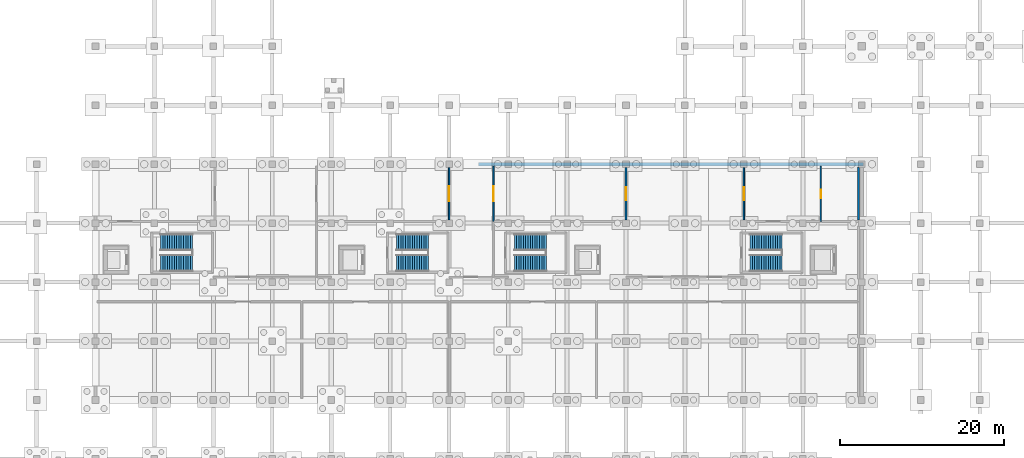
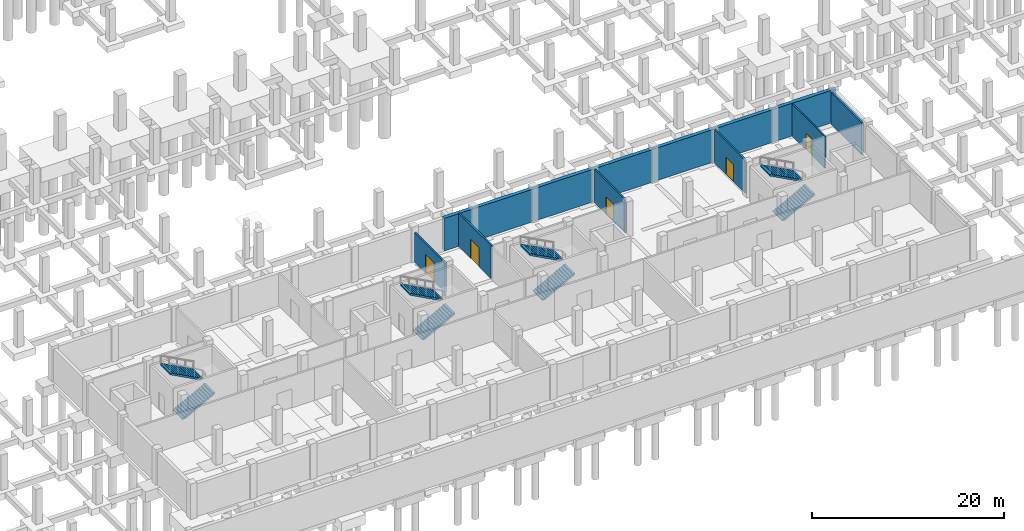
# One storey, part 20 of 22: 8 stair flights, 7 walls, 5 doors, 5 openings, 4 elements without a shape of their own.
"""IFC4 building model written with IfcOpenShell, lengths in metres."""

from ifc_helpers import new_model, si_unit, direction, frame, frame_2d, origin, place, context, subcontext, project, spatial, polyline, rectangle, outline, extrude, material, layer, layer_set, type_object, element, fill, aggregate, save


model = new_model("IFC4")

# Units and contexts
model_context = context("Model", 3, precision=1e-05, world=origin(), true_north=direction((0.0, 1.0)))
body_context = subcontext(model_context, "Body", "Model", "MODEL_VIEW")
ifc_project = project(units=[si_unit("LENGTHUNIT", "METRE"), si_unit("AREAUNIT", "SQUARE_METRE"), si_unit("VOLUMEUNIT", "CUBIC_METRE"), si_unit("PLANEANGLEUNIT", "RADIAN"), si_unit("MASSUNIT", "GRAM", prefix="KILO")], contexts=[model_context])

# Site, building, storey
site_placement = place(None, origin())
site = spatial("IfcSite", under=ifc_project, at=site_placement, CompositionType="ELEMENT")
building_placement = place(site_placement, origin())
building = spatial("IfcBuilding", under=site, at=building_placement, Name="Sardonyx Promenade Sports Hall", CompositionType="ELEMENT")
storey_placement = place(building_placement, frame((0.0, 0.0, -4.5)))
storey = spatial("IfcBuildingStorey", under=building, at=storey_placement, Name="B1", CompositionType="ELEMENT", Elevation=-4.5)

# Wall, opening, door
ifc_material_1 = material(Name="Masonry CMU 15 MPa", Category="masonry")
ifc_layer_1 = layer(ifc_material_1, 0.18994140625)
ifc_layer_set_1 = layer_set([ifc_layer_1], Name="Wall_Part_Block_190")
wall_type_1 = type_object("IfcWallType", Name="Wall_Part_Block_190", PredefinedType="PARTITIONING", material=ifc_layer_set_1)
wall_1_placement = place(storey_placement, frame((64.800048828125, 29.199951171875, 0.0), z_axis=(0.0, 0.0, 1.0), x_axis=(0.0, 1.0, 0.0)))
wall_1 = element("IfcWall", 1, at=wall_1_placement, inside=storey, type_object=wall_type_1, Name="Interior partition PW03 B1 #13", PredefinedType="PARTITIONING", context=body_context, shape_type="SweptSolid", body=[
    extrude(rectangle(XDim=6.400146484375, YDim=0.18994140625, at=frame_2d((3.2001953125, 0.0))), origin(), (0.0, 0.0, 1.0), 3.780029296875),
])
opening_1_placement = place(wall_1_placement, frame((2.300048828125, 0.0, 0.0)))
opening_1 = element("IfcOpeningElement", 2, at=opening_1_placement, cuts=wall_1, Name="Opening ID02", PredefinedType="OPENING", context=body_context, shape_type="SweptSolid", body=[
    extrude(rectangle(XDim=1.800048828125, YDim=2.39990234375, at=frame_2d((0.89990234375, 1.199951171875))), frame((0.0, 0.105, 0.0), z_axis=(0.0, -1.0, 0.0), x_axis=(1.0, 0.0, 0.0)), (0.0, 0.0, 1.0), 0.21),
])
ifc_material_2 = material(Name="Steel acoustic plant fire door FD60S", Category="steel")
door_type_1 = type_object("IfcDoorType", Name="Door_Plant_FD60_180x240", OperationType="NOTDEFINED", PredefinedType="DOOR", material=ifc_material_2)
door_1_placement = place(opening_1_placement, origin())
door_1 = element("IfcDoor", 3, at=door_1_placement, inside=storey, type_object=door_type_1, Name="Interior door DB1-003", OperationType="DOUBLE_DOOR_SINGLE_SWING", OverallHeight=2.39990234375, OverallWidth=1.800048828125, PredefinedType="DOOR", context=body_context, shape_type="SweptSolid", body=[
    extrude(rectangle(XDim=1.800048828125, YDim=2.39990234375, at=frame_2d((0.89990234375, 1.199951171875))), frame((0.0, 0.02490234375, 0.0), z_axis=(0.0, -1.0, 0.0), x_axis=(1.0, 0.0, 0.0)), (0.0, 0.0, 1.0), 0.050048828125),
])
fill(opening_1, door_1)

wall_2_placement = place(storey_placement, frame((70.199951171875, 29.010009765625, 0.0), z_axis=(0.0, 0.0, 1.0), x_axis=(0.0, 1.0, 0.0)))
wall_2 = element("IfcWall", 4, at=wall_2_placement, inside=storey, type_object=wall_type_1, Name="Interior partition PW03 B1 #15", PredefinedType="PARTITIONING", context=body_context, shape_type="SweptSolid", body=[
    extrude(rectangle(XDim=6.7548828125, YDim=0.18994140625, at=frame_2d((3.37744140625, 0.0))), origin(), (0.0, 0.0, 1.0), 4.219970703125),
])
opening_2_placement = place(wall_2_placement, frame((2.4775390625, 0.0, 0.0)))
opening_2 = element("IfcOpeningElement", 5, at=opening_2_placement, cuts=wall_2, Name="Opening ID02", PredefinedType="OPENING", context=body_context, shape_type="SweptSolid", body=[
    extrude(rectangle(XDim=1.800048828125, YDim=2.39990234375, at=frame_2d((0.89990234375, 1.199951171875))), frame((0.0, 0.105, 0.0), z_axis=(0.0, -1.0, 0.0), x_axis=(1.0, 0.0, 0.0)), (0.0, 0.0, 1.0), 0.21),
])
door_2_placement = place(opening_2_placement, origin())
door_2 = element("IfcDoor", 6, at=door_2_placement, inside=storey, type_object=door_type_1, Name="Interior door DB1-004", OperationType="DOUBLE_DOOR_SINGLE_SWING", OverallHeight=2.39990234375, OverallWidth=1.800048828125, PredefinedType="DOOR", context=body_context, shape_type="SweptSolid", body=[
    extrude(rectangle(XDim=1.800048828125, YDim=2.39990234375, at=frame_2d((0.89990234375, 1.199951171875))), frame((0.0, 0.02490234375, 0.0), z_axis=(0.0, -1.0, 0.0), x_axis=(1.0, 0.0, 0.0)), (0.0, 0.0, 1.0), 0.050048828125),
])
fill(opening_2, door_2)

wall_3_placement = place(storey_placement, frame((86.39990234375, 29.199951171875, 0.0), z_axis=(0.0, 0.0, 1.0), x_axis=(0.0, 1.0, 0.0)))
wall_3 = element("IfcWall", 7, at=wall_3_placement, inside=storey, type_object=wall_type_1, Name="Interior partition PW03 B1 #16", PredefinedType="PARTITIONING", context=body_context, shape_type="SweptSolid", body=[
    extrude(rectangle(XDim=6.400146484375, YDim=0.18994140625, at=frame_2d((3.2001953125, 0.0))), origin(), (0.0, 0.0, 1.0), 4.219970703125),
])
opening_3_placement = place(wall_3_placement, frame((2.39990234375, 0.0, 0.0)))
opening_3 = element("IfcOpeningElement", 8, at=opening_3_placement, cuts=wall_3, Name="Opening ID09", PredefinedType="OPENING", context=body_context, shape_type="SweptSolid", body=[
    extrude(rectangle(XDim=1.60009765625, YDim=2.199951171875, at=frame_2d((0.800048828125, 1.10009765625))), frame((0.0, 0.105, 0.0), z_axis=(0.0, -1.0, 0.0), x_axis=(1.0, 0.0, 0.0)), (0.0, 0.0, 1.0), 0.21),
])
ifc_material_3 = material(Name="Double hardwood vision-panel fire door FD60S", Category="wood")
door_type_2 = type_object("IfcDoorType", Name="Door_Lobby_FD60_160x220", OperationType="NOTDEFINED", PredefinedType="DOOR", material=ifc_material_3)
door_3_placement = place(opening_3_placement, origin())
door_3 = element("IfcDoor", 9, at=door_3_placement, inside=storey, type_object=door_type_2, Name="Interior door DB1-005", OperationType="DOUBLE_DOOR_SINGLE_SWING", OverallHeight=2.199951171875, OverallWidth=1.60009765625, PredefinedType="DOOR", context=body_context, shape_type="SweptSolid", body=[
    extrude(rectangle(XDim=1.60009765625, YDim=2.199951171875, at=frame_2d((0.800048828125, 1.10009765625))), frame((0.0, 0.02490234375, 0.0), z_axis=(0.0, -1.0, 0.0), x_axis=(1.0, 0.0, 0.0)), (0.0, 0.0, 1.0), 0.050048828125),
])
fill(opening_3, door_3)

wall_4_placement = place(storey_placement, frame((100.800048828125, 29.199951171875, 0.0), z_axis=(0.0, 0.0, 1.0), x_axis=(0.0, 1.0, 0.0)))
wall_4 = element("IfcWall", 10, at=wall_4_placement, inside=storey, type_object=wall_type_1, Name="Interior partition PW03 B1 #17", PredefinedType="PARTITIONING", context=body_context, shape_type="SweptSolid", body=[
    extrude(rectangle(XDim=6.400146484375, YDim=0.18994140625, at=frame_2d((3.2001953125, 0.0))), origin(), (0.0, 0.0, 1.0), 4.219970703125),
])
opening_4_placement = place(wall_4_placement, frame((2.39990234375, 0.0, 0.0)))
opening_4 = element("IfcOpeningElement", 11, at=opening_4_placement, cuts=wall_4, Name="Opening ID09", PredefinedType="OPENING", context=body_context, shape_type="SweptSolid", body=[
    extrude(rectangle(XDim=1.60009765625, YDim=2.199951171875, at=frame_2d((0.800048828125, 1.10009765625))), frame((0.0, 0.105, 0.0), z_axis=(0.0, -1.0, 0.0), x_axis=(1.0, 0.0, 0.0)), (0.0, 0.0, 1.0), 0.21),
])
door_4_placement = place(opening_4_placement, origin())
door_4 = element("IfcDoor", 12, at=door_4_placement, inside=storey, type_object=door_type_2, Name="Interior door DB1-006", OperationType="DOUBLE_DOOR_SINGLE_SWING", OverallHeight=2.199951171875, OverallWidth=1.60009765625, PredefinedType="DOOR", context=body_context, shape_type="SweptSolid", body=[
    extrude(rectangle(XDim=1.60009765625, YDim=2.199951171875, at=frame_2d((0.800048828125, 1.10009765625))), frame((0.0, 0.02490234375, 0.0), z_axis=(0.0, -1.0, 0.0), x_axis=(1.0, 0.0, 0.0)), (0.0, 0.0, 1.0), 0.050048828125),
])
fill(opening_4, door_4)

# Wall
ifc_material_4 = material(Name="Masonry CMU 15 MPa", Category="masonry")
ifc_layer_2 = layer(ifc_material_4, 0.2099609375)
ifc_layer_set_2 = layer_set([ifc_layer_2], Name="Wall_Part_Block_210")
wall_type_2 = type_object("IfcWallType", Name="Wall_Part_Block_210", PredefinedType="PARTITIONING", material=ifc_layer_set_2)
wall_5_placement = place(storey_placement, frame((114.800048828125, 29.199951171875, 0.0), z_axis=(0.0, 0.0, 1.0), x_axis=(0.0, 1.0, 0.0)))
element("IfcWall", 13, at=wall_5_placement, inside=storey, type_object=wall_type_2, Name="Interior partition PW07 B1 #9", PredefinedType="PARTITIONING", context=body_context, shape_type="SweptSolid", body=[
    extrude(rectangle(XDim=6.400146484375, YDim=0.2099609375, at=frame_2d((3.2001953125, 0.0))), origin(), (0.0, 0.0, 1.0), 4.06005859375),
])

# Wall, opening, door
ifc_material_5 = material(Name="Fire-rated stud gypsum partition", Category="gypsum")
ifc_layer_3 = layer(ifc_material_5, 0.14990234375)
ifc_layer_set_3 = layer_set([ifc_layer_3], Name="Wall_Part_Corridor_150")
wall_type_3 = type_object("IfcWallType", Name="Wall_Part_Corridor_150", PredefinedType="PARTITIONING", material=ifc_layer_set_3)
wall_6_placement = place(storey_placement, frame((110.199951171875, 29.0, 0.0), z_axis=(0.0, 0.0, 1.0), x_axis=(0.0, 1.0, 0.0)))
wall_6 = element("IfcWall", 14, at=wall_6_placement, inside=storey, type_object=wall_type_3, Name="Interior partition PW04 B1 #18", PredefinedType="PARTITIONING", context=body_context, shape_type="SweptSolid", body=[
    extrude(rectangle(XDim=6.764892578125, YDim=0.14990234375, at=frame_2d((3.38232421875, 0.0))), origin(), (0.0, 0.0, 1.0), 4.06005859375),
])
opening_5_placement = place(wall_6_placement, frame((2.857421875, 0.0, 0.0)))
opening_5 = element("IfcOpeningElement", 15, at=opening_5_placement, cuts=wall_6, Name="Opening ID07", PredefinedType="OPENING", context=body_context, shape_type="SweptSolid", body=[
    extrude(rectangle(XDim=1.050048828125, YDim=2.14990234375, at=frame_2d((0.52490234375, 1.074951171875))), frame((0.0, 0.085, 0.0), z_axis=(0.0, -1.0, 0.0), x_axis=(1.0, 0.0, 0.0)), (0.0, 0.0, 1.0), 0.17),
])
ifc_material_6 = material(Name="Hardwood accessible fire door FD30S", Category="wood")
door_type_3 = type_object("IfcDoorType", Name="Door_Corr_FD30_105x215", OperationType="NOTDEFINED", PredefinedType="DOOR", material=ifc_material_6)
door_5_placement = place(opening_5_placement, origin())
door_5 = element("IfcDoor", 16, at=door_5_placement, inside=storey, type_object=door_type_3, Name="Interior door DB1-007", OperationType="SINGLE_SWING_LEFT", OverallHeight=2.14990234375, OverallWidth=1.050048828125, PredefinedType="DOOR", context=body_context, shape_type="SweptSolid", body=[
    extrude(rectangle(XDim=1.050048828125, YDim=2.14990234375, at=frame_2d((0.52490234375, 1.074951171875))), frame((0.0, 0.02490234375, 0.0), z_axis=(0.0, -1.0, 0.0), x_axis=(1.0, 0.0, 0.0)), (0.0, 0.0, 1.0), 0.050048828125),
])
fill(opening_5, door_5)

# Wall
ifc_material_7 = material(Name="Concrete C40/50", Category="concrete")
ifc_layer_4 = layer(ifc_material_7, 0.449951171875)
ifc_layer_set_4 = layer_set([ifc_layer_4], Name="Wall_Retain_B1_450")
wall_type_4 = type_object("IfcWallType", Name="Wall_Retain_B1_450", PredefinedType="USERDEFINED", material=ifc_layer_set_4)
wall_7_placement = place(storey_placement, frame((68.39990234375, 36.0, 0.0), z_axis=(0.0, 0.0, 1.0), x_axis=(1.0, 0.0, 0.0)))
element("IfcWall", 17, at=wall_7_placement, inside=storey, type_object=wall_type_4, Name="Basement retaining wall RW01 N2", ObjectType="RETAINING WALL", PredefinedType="USERDEFINED", context=body_context, shape_type="SweptSolid", body=[
    extrude(rectangle(XDim=47.0, YDim=0.449951171875, at=frame_2d((23.5, 0.0))), origin(), (0.0, 0.0, 1.0), 4.14990234375),
])

# Stair, stair flights
ifc_material_8 = material(Name="Concrete C40/50", Category="concrete")
stair_type = type_object("IfcStairType", Name="Stair_Esc_B1_450", PredefinedType="HALF_TURN_STAIR", material=ifc_material_8)
stair_1_placement = place(storey_placement, origin())
stair_1 = element("IfcStair", 18, at=stair_1_placement, inside=storey, type_object=stair_type, Name="Protected escape stair ST1 (B1 to L00)", PredefinedType="HALF_TURN_STAIR")
ifc_material_9 = material(Name="Concrete C40/50", Category="concrete")
stair_flight_type = type_object("IfcStairFlightType", Name="Flt_Esc_B1", PredefinedType="STRAIGHT", material=ifc_material_9)
stair_flight_1_placement = place(storey_placement, frame((29.550048828125, 23.925048828125, 0.0), z_axis=(0.0, 0.0, 1.0), x_axis=(1.0, 0.0, 0.0)))
stair_flight_1 = element("IfcStairFlight", 19, at=stair_flight_1_placement, type_object=stair_flight_type, Name="Stair ST1 B1 flight 1", NumberOfRisers=15, NumberOfTreads=14, PredefinedType="STRAIGHT", RiserHeight=0.15, TreadLength=0.28, context=body_context, shape_type="SweptSolid", body=[
    extrude(outline(polyline([(0.0, 0.0), (0.0, 0.14990234375), (0.280029296875, 0.14990234375), (0.280029296875, 0.300048828125), (0.56005859375, 0.300048828125), (0.56005859375, 0.449951171875), (0.840087890625, 0.449951171875), (0.840087890625, 0.60009765625), (1.1201171875, 0.60009765625), (1.1201171875, 0.75), (1.39990234375, 0.75), (1.39990234375, 0.89990234375), (1.679931640625, 0.89990234375), (1.679931640625, 1.050048828125), (1.9599609375, 1.050048828125), (1.9599609375, 1.199951171875), (2.239990234375, 1.199951171875), (2.239990234375, 1.35009765625), (2.52001953125, 1.35009765625), (2.52001953125, 1.5), (2.800048828125, 1.5), (2.800048828125, 1.64990234375), (3.080078125, 1.64990234375), (3.080078125, 1.800048828125), (3.360107421875, 1.800048828125), (3.360107421875, 1.949951171875), (3.639892578125, 1.949951171875), (3.639892578125, 2.10009765625), (3.919921875, 2.10009765625), (3.919921875, 2.25), (3.919921875, 1.89599609375), (0.381103515625, 0.0), (0.0, 0.0)])), frame((0.0, 1.0, 0.0), z_axis=(0.0, -1.0, 0.0), x_axis=(1.0, 0.0, 0.0)), (0.0, 0.0, 1.0), 2.0),
])
stair_flight_2_placement = place(storey_placement, frame((33.469970703125, 26.47509765625, 2.25), z_axis=(0.0, 0.0, 1.0), x_axis=(-1.0, 0.0, 0.0)))
stair_flight_2 = element("IfcStairFlight", 20, at=stair_flight_2_placement, type_object=stair_flight_type, Name="Stair ST1 B1 flight 2", NumberOfRisers=15, NumberOfTreads=14, PredefinedType="STRAIGHT", RiserHeight=0.15, TreadLength=0.28, context=body_context, shape_type="SweptSolid", body=[
    extrude(outline(polyline([(0.0, 0.0), (0.0, 0.14990234375), (0.280029296875, 0.14990234375), (0.280029296875, 0.300048828125), (0.56005859375, 0.300048828125), (0.56005859375, 0.449951171875), (0.840087890625, 0.449951171875), (0.840087890625, 0.60009765625), (1.1201171875, 0.60009765625), (1.1201171875, 0.75), (1.39990234375, 0.75), (1.39990234375, 0.89990234375), (1.679931640625, 0.89990234375), (1.679931640625, 1.050048828125), (1.9599609375, 1.050048828125), (1.9599609375, 1.199951171875), (2.239990234375, 1.199951171875), (2.239990234375, 1.35009765625), (2.52001953125, 1.35009765625), (2.52001953125, 1.5), (2.800048828125, 1.5), (2.800048828125, 1.64990234375), (3.080078125, 1.64990234375), (3.080078125, 1.800048828125), (3.360107421875, 1.800048828125), (3.360107421875, 1.949951171875), (3.639892578125, 1.949951171875), (3.639892578125, 2.10009765625), (3.919921875, 2.10009765625), (3.919921875, 2.25), (3.919921875, 1.89599609375), (0.381103515625, 0.0), (0.0, 0.0)])), frame((0.0, 1.0, 0.0), z_axis=(0.0, -1.0, 0.0), x_axis=(1.0, 0.0, 0.0)), (0.0, 0.0, 1.0), 2.0),
])
aggregate(stair_1, [stair_flight_1, stair_flight_2])

stair_2_placement = place(storey_placement, origin())
stair_2 = element("IfcStair", 21, at=stair_2_placement, inside=storey, type_object=stair_type, Name="Protected escape stair ST2 (B1 to L00)", PredefinedType="HALF_TURN_STAIR")
stair_flight_3_placement = place(storey_placement, frame((101.550048828125, 23.925048828125, 0.0), z_axis=(0.0, 0.0, 1.0), x_axis=(1.0, 0.0, 0.0)))
stair_flight_3 = element("IfcStairFlight", 22, at=stair_flight_3_placement, type_object=stair_flight_type, Name="Stair ST2 B1 flight 1", NumberOfRisers=15, NumberOfTreads=14, PredefinedType="STRAIGHT", RiserHeight=0.15, TreadLength=0.28, context=body_context, shape_type="SweptSolid", body=[
    extrude(outline(polyline([(0.0, 0.0), (0.0, 0.14990234375), (0.280029296875, 0.14990234375), (0.280029296875, 0.300048828125), (0.56005859375, 0.300048828125), (0.56005859375, 0.449951171875), (0.840087890625, 0.449951171875), (0.840087890625, 0.60009765625), (1.1201171875, 0.60009765625), (1.1201171875, 0.75), (1.39990234375, 0.75), (1.39990234375, 0.89990234375), (1.679931640625, 0.89990234375), (1.679931640625, 1.050048828125), (1.9599609375, 1.050048828125), (1.9599609375, 1.199951171875), (2.239990234375, 1.199951171875), (2.239990234375, 1.35009765625), (2.52001953125, 1.35009765625), (2.52001953125, 1.5), (2.800048828125, 1.5), (2.800048828125, 1.64990234375), (3.080078125, 1.64990234375), (3.080078125, 1.800048828125), (3.360107421875, 1.800048828125), (3.360107421875, 1.949951171875), (3.639892578125, 1.949951171875), (3.639892578125, 2.10009765625), (3.919921875, 2.10009765625), (3.919921875, 2.25), (3.919921875, 1.89599609375), (0.381103515625, 0.0), (0.0, 0.0)])), frame((0.0, 1.0, 0.0), z_axis=(0.0, -1.0, 0.0), x_axis=(1.0, 0.0, 0.0)), (0.0, 0.0, 1.0), 2.0),
])
stair_flight_4_placement = place(storey_placement, frame((105.469970703125, 26.47509765625, 2.25), z_axis=(0.0, 0.0, 1.0), x_axis=(-1.0, 0.0, 0.0)))
stair_flight_4 = element("IfcStairFlight", 23, at=stair_flight_4_placement, type_object=stair_flight_type, Name="Stair ST2 B1 flight 2", NumberOfRisers=15, NumberOfTreads=14, PredefinedType="STRAIGHT", RiserHeight=0.15, TreadLength=0.28, context=body_context, shape_type="SweptSolid", body=[
    extrude(outline(polyline([(0.0, 0.0), (0.0, 0.14990234375), (0.280029296875, 0.14990234375), (0.280029296875, 0.300048828125), (0.56005859375, 0.300048828125), (0.56005859375, 0.449951171875), (0.840087890625, 0.449951171875), (0.840087890625, 0.60009765625), (1.1201171875, 0.60009765625), (1.1201171875, 0.75), (1.39990234375, 0.75), (1.39990234375, 0.89990234375), (1.679931640625, 0.89990234375), (1.679931640625, 1.050048828125), (1.9599609375, 1.050048828125), (1.9599609375, 1.199951171875), (2.239990234375, 1.199951171875), (2.239990234375, 1.35009765625), (2.52001953125, 1.35009765625), (2.52001953125, 1.5), (2.800048828125, 1.5), (2.800048828125, 1.64990234375), (3.080078125, 1.64990234375), (3.080078125, 1.800048828125), (3.360107421875, 1.800048828125), (3.360107421875, 1.949951171875), (3.639892578125, 1.949951171875), (3.639892578125, 2.10009765625), (3.919921875, 2.10009765625), (3.919921875, 2.25), (3.919921875, 1.89599609375), (0.381103515625, 0.0), (0.0, 0.0)])), frame((0.0, 1.0, 0.0), z_axis=(0.0, -1.0, 0.0), x_axis=(1.0, 0.0, 0.0)), (0.0, 0.0, 1.0), 2.0),
])
aggregate(stair_2, [stair_flight_3, stair_flight_4])

stair_3_placement = place(storey_placement, origin())
stair_3 = element("IfcStair", 24, at=stair_3_placement, inside=storey, type_object=stair_type, Name="Protected escape stair ST3 (B1 to L00)", PredefinedType="HALF_TURN_STAIR")
stair_flight_5_placement = place(storey_placement, frame((58.35009765625, 23.925048828125, 0.0), z_axis=(0.0, 0.0, 1.0), x_axis=(1.0, 0.0, 0.0)))
stair_flight_5 = element("IfcStairFlight", 25, at=stair_flight_5_placement, type_object=stair_flight_type, Name="Stair ST3 B1 flight 1", NumberOfRisers=15, NumberOfTreads=14, PredefinedType="STRAIGHT", RiserHeight=0.15, TreadLength=0.28, context=body_context, shape_type="SweptSolid", body=[
    extrude(outline(polyline([(0.0, 0.0), (0.0, 0.14990234375), (0.280029296875, 0.14990234375), (0.280029296875, 0.300048828125), (0.56005859375, 0.300048828125), (0.56005859375, 0.449951171875), (0.840087890625, 0.449951171875), (0.840087890625, 0.60009765625), (1.1201171875, 0.60009765625), (1.1201171875, 0.75), (1.39990234375, 0.75), (1.39990234375, 0.89990234375), (1.679931640625, 0.89990234375), (1.679931640625, 1.050048828125), (1.9599609375, 1.050048828125), (1.9599609375, 1.199951171875), (2.239990234375, 1.199951171875), (2.239990234375, 1.35009765625), (2.52001953125, 1.35009765625), (2.52001953125, 1.5), (2.800048828125, 1.5), (2.800048828125, 1.64990234375), (3.080078125, 1.64990234375), (3.080078125, 1.800048828125), (3.360107421875, 1.800048828125), (3.360107421875, 1.949951171875), (3.639892578125, 1.949951171875), (3.639892578125, 2.10009765625), (3.919921875, 2.10009765625), (3.919921875, 2.25), (3.919921875, 1.89599609375), (0.381103515625, 0.0), (0.0, 0.0)])), frame((0.0, 1.0, 0.0), z_axis=(0.0, -1.0, 0.0), x_axis=(1.0, 0.0, 0.0)), (0.0, 0.0, 1.0), 2.0),
])
stair_flight_6_placement = place(storey_placement, frame((62.27001953125, 26.47509765625, 2.25), z_axis=(0.0, 0.0, 1.0), x_axis=(-1.0, 0.0, 0.0)))
stair_flight_6 = element("IfcStairFlight", 26, at=stair_flight_6_placement, type_object=stair_flight_type, Name="Stair ST3 B1 flight 2", NumberOfRisers=15, NumberOfTreads=14, PredefinedType="STRAIGHT", RiserHeight=0.15, TreadLength=0.28, context=body_context, shape_type="SweptSolid", body=[
    extrude(outline(polyline([(0.0, 0.0), (0.0, 0.14990234375), (0.280029296875, 0.14990234375), (0.280029296875, 0.300048828125), (0.56005859375, 0.300048828125), (0.56005859375, 0.449951171875), (0.840087890625, 0.449951171875), (0.840087890625, 0.60009765625), (1.1201171875, 0.60009765625), (1.1201171875, 0.75), (1.39990234375, 0.75), (1.39990234375, 0.89990234375), (1.679931640625, 0.89990234375), (1.679931640625, 1.050048828125), (1.9599609375, 1.050048828125), (1.9599609375, 1.199951171875), (2.239990234375, 1.199951171875), (2.239990234375, 1.35009765625), (2.52001953125, 1.35009765625), (2.52001953125, 1.5), (2.800048828125, 1.5), (2.800048828125, 1.64990234375), (3.080078125, 1.64990234375), (3.080078125, 1.800048828125), (3.360107421875, 1.800048828125), (3.360107421875, 1.949951171875), (3.639892578125, 1.949951171875), (3.639892578125, 2.10009765625), (3.919921875, 2.10009765625), (3.919921875, 2.25), (3.919921875, 1.89599609375), (0.381103515625, 0.0), (0.0, 0.0)])), frame((0.0, 1.0, 0.0), z_axis=(0.0, -1.0, 0.0), x_axis=(1.0, 0.0, 0.0)), (0.0, 0.0, 1.0), 2.0),
])
aggregate(stair_3, [stair_flight_5, stair_flight_6])

stair_4_placement = place(storey_placement, origin())
stair_4 = element("IfcStair", 27, at=stair_4_placement, inside=storey, type_object=stair_type, Name="Protected escape stair ST4 (B1 to L00)", PredefinedType="HALF_TURN_STAIR")
stair_flight_7_placement = place(storey_placement, frame((72.75, 23.925048828125, 0.0), z_axis=(0.0, 0.0, 1.0), x_axis=(1.0, 0.0, 0.0)))
stair_flight_7 = element("IfcStairFlight", 28, at=stair_flight_7_placement, type_object=stair_flight_type, Name="Stair ST4 B1 flight 1", NumberOfRisers=15, NumberOfTreads=14, PredefinedType="STRAIGHT", RiserHeight=0.15, TreadLength=0.28, context=body_context, shape_type="SweptSolid", body=[
    extrude(outline(polyline([(0.0, 0.0), (0.0, 0.14990234375), (0.280029296875, 0.14990234375), (0.280029296875, 0.300048828125), (0.56005859375, 0.300048828125), (0.56005859375, 0.449951171875), (0.840087890625, 0.449951171875), (0.840087890625, 0.60009765625), (1.1201171875, 0.60009765625), (1.1201171875, 0.75), (1.39990234375, 0.75), (1.39990234375, 0.89990234375), (1.679931640625, 0.89990234375), (1.679931640625, 1.050048828125), (1.9599609375, 1.050048828125), (1.9599609375, 1.199951171875), (2.239990234375, 1.199951171875), (2.239990234375, 1.35009765625), (2.52001953125, 1.35009765625), (2.52001953125, 1.5), (2.800048828125, 1.5), (2.800048828125, 1.64990234375), (3.080078125, 1.64990234375), (3.080078125, 1.800048828125), (3.360107421875, 1.800048828125), (3.360107421875, 1.949951171875), (3.639892578125, 1.949951171875), (3.639892578125, 2.10009765625), (3.919921875, 2.10009765625), (3.919921875, 2.25), (3.919921875, 1.89599609375), (0.381103515625, 0.0), (0.0, 0.0)])), frame((0.0, 1.0, 0.0), z_axis=(0.0, -1.0, 0.0), x_axis=(1.0, 0.0, 0.0)), (0.0, 0.0, 1.0), 2.0),
])
stair_flight_8_placement = place(storey_placement, frame((76.669921875, 26.47509765625, 2.25), z_axis=(0.0, 0.0, 1.0), x_axis=(-1.0, 0.0, 0.0)))
stair_flight_8 = element("IfcStairFlight", 29, at=stair_flight_8_placement, type_object=stair_flight_type, Name="Stair ST4 B1 flight 2", NumberOfRisers=15, NumberOfTreads=14, PredefinedType="STRAIGHT", RiserHeight=0.15, TreadLength=0.28, context=body_context, shape_type="SweptSolid", body=[
    extrude(outline(polyline([(0.0, 0.0), (0.0, 0.14990234375), (0.280029296875, 0.14990234375), (0.280029296875, 0.300048828125), (0.56005859375, 0.300048828125), (0.56005859375, 0.449951171875), (0.840087890625, 0.449951171875), (0.840087890625, 0.60009765625), (1.1201171875, 0.60009765625), (1.1201171875, 0.75), (1.39990234375, 0.75), (1.39990234375, 0.89990234375), (1.679931640625, 0.89990234375), (1.679931640625, 1.050048828125), (1.9599609375, 1.050048828125), (1.9599609375, 1.199951171875), (2.239990234375, 1.199951171875), (2.239990234375, 1.35009765625), (2.52001953125, 1.35009765625), (2.52001953125, 1.5), (2.800048828125, 1.5), (2.800048828125, 1.64990234375), (3.080078125, 1.64990234375), (3.080078125, 1.800048828125), (3.360107421875, 1.800048828125), (3.360107421875, 1.949951171875), (3.639892578125, 1.949951171875), (3.639892578125, 2.10009765625), (3.919921875, 2.10009765625), (3.919921875, 2.25), (3.919921875, 1.89599609375), (0.381103515625, 0.0), (0.0, 0.0)])), frame((0.0, 1.0, 0.0), z_axis=(0.0, -1.0, 0.0), x_axis=(1.0, 0.0, 0.0)), (0.0, 0.0, 1.0), 2.0),
])
aggregate(stair_4, [stair_flight_7, stair_flight_8])

save(model, "model.ifc")
